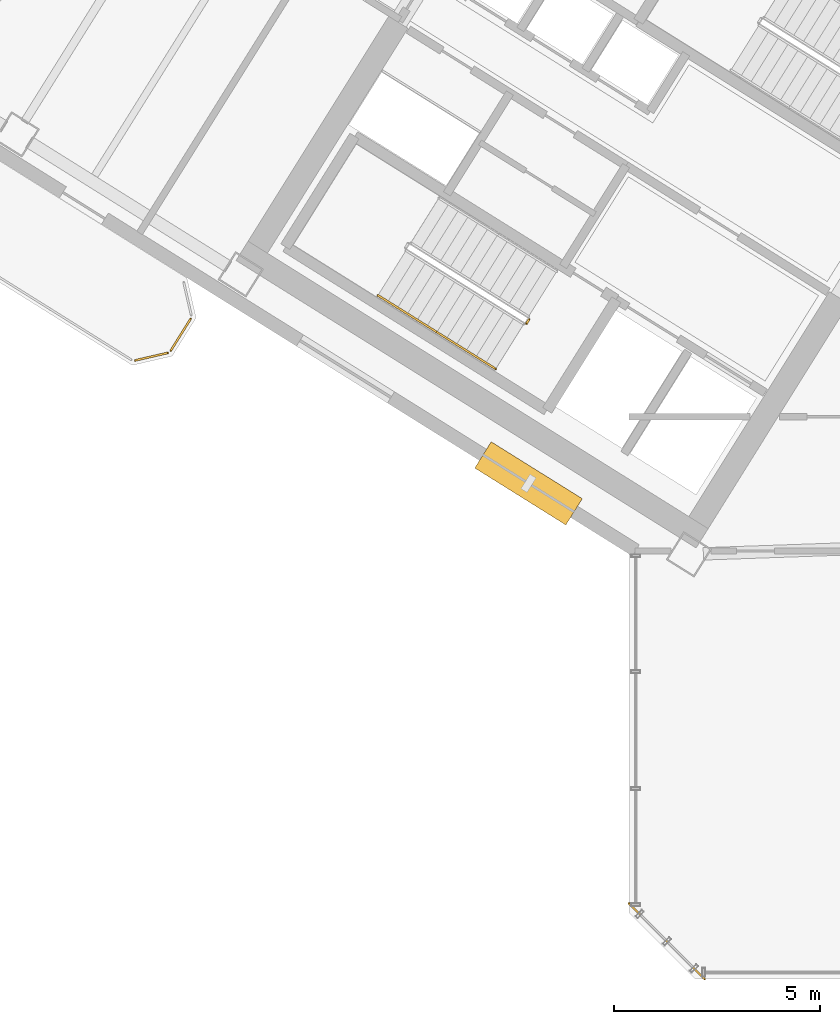
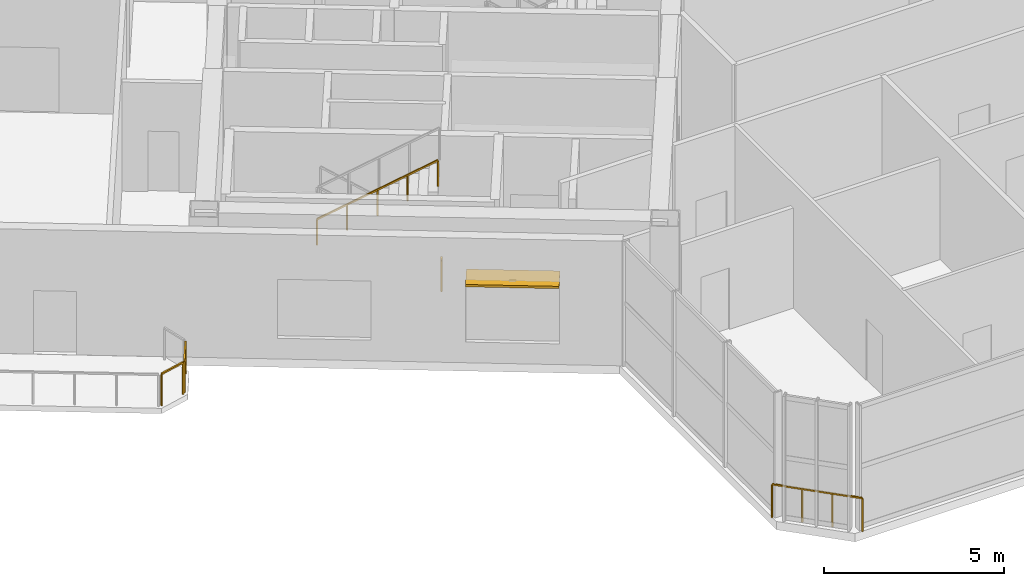
# One storey, part 16 of 20: 6 railings, 1 shading device.
"""IFC4 building model written with IfcOpenShell, lengths in metres."""

from ifc_helpers import new_model, si_unit, direction, frame, origin, origin_2d, place, context, subcontext, project, spatial, rectangle, extrude, source, transform, mapped, material, layer, layer_set, type_object, element, save


model = new_model("IFC4")

# Units and contexts
model_context = context("Model", 3, precision=1e-05, world=origin(), true_north=direction((0.0, 1.0)))
body_context = subcontext(model_context, "Body", "Model", "MODEL_VIEW")
ifc_project = project(units=[si_unit("LENGTHUNIT", "METRE"), si_unit("AREAUNIT", "SQUARE_METRE"), si_unit("VOLUMEUNIT", "CUBIC_METRE"), si_unit("PLANEANGLEUNIT", "RADIAN"), si_unit("MASSUNIT", "GRAM", prefix="KILO")], contexts=[model_context])

# Site, building, storey
site_placement = place(None, origin())
site = spatial("IfcSite", under=ifc_project, at=site_placement, CompositionType="ELEMENT")
building_placement = place(site_placement, origin())
building = spatial("IfcBuilding", under=site, at=building_placement, Name="Tlacorven Tower", CompositionType="ELEMENT")
storey_placement = place(building_placement, frame((0.0, 0.0, 195.0)))
storey = spatial("IfcBuildingStorey", under=building, at=storey_placement, Name="L49", CompositionType="ELEMENT", Elevation=195.0)

# Railings
ifc_material_1 = material(Name="Aluminium and painted steel balustrade", Category="steel")
railing_type_1 = type_object("IfcRailingType", Name="RL-BAL-1100", PredefinedType="BALUSTRADE", material=ifc_material_1)
shared_shape_1 = source(origin(), body_context, "Body", "SweptSolid", [
    extrude(rectangle(XDim=0.048095703125, YDim=0.048095703125, at=origin_2d()), frame((0.0, 0.0, 1.076171875), z_axis=(-0.52987865805, -0.848073468364, 0.0), x_axis=(0.848073468364, -0.52987865805, 0.0)), (0.0, 0.0, 1.0), 0.912353515625),
    extrude(rectangle(XDim=0.0419921875, YDim=0.0419921875, at=origin_2d()), origin(), (0.0, 0.0, 1.0), 1.052001953125),
    extrude(rectangle(XDim=0.0419921875, YDim=0.0419921875, at=origin_2d()), frame((-0.4833984375, -0.773681640625, 0.0)), (0.0, 0.0, 1.0), 1.052001953125),
])
railing_1_placement = place(storey_placement, frame((20.976318359375, 17.793701171875, 0.0)))
element("IfcRailing", 1, at=railing_1_placement, inside=storey, type_object=railing_type_1, Name="BAL-L49-W-OUT Guard Railing 2", PredefinedType="BALUSTRADE", context=body_context, shape_type="MappedRepresentation", body=[
    mapped(shared_shape_1, transform((0.0, 0.0, 0.0), scale=1.0)),
])
shared_shape_2 = source(origin(), body_context, "Body", "SweptSolid", [
    extrude(rectangle(XDim=0.048095703125, YDim=0.048095703125, at=origin_2d()), frame((0.0, 0.0, 1.076171875), z_axis=(-0.974345290916, -0.225058334816, 0.0), x_axis=(0.225058334816, -0.974345290916, 0.0)), (0.0, 0.0, 1.0), 0.80712890625),
    extrude(rectangle(XDim=0.0419921875, YDim=0.0419921875, at=origin_2d()), origin(), (0.0, 0.0, 1.0), 1.052001953125),
    extrude(rectangle(XDim=0.0419921875, YDim=0.0419921875, at=origin_2d()), frame((-0.786376953125, -0.181640625, 0.0)), (0.0, 0.0, 1.0), 1.052001953125),
])
railing_2_placement = place(storey_placement, frame((20.417724609375, 16.966552734375, 0.0)))
element("IfcRailing", 2, at=railing_2_placement, inside=storey, type_object=railing_type_1, Name="BAL-L49-W-OUT Guard Railing 3", PredefinedType="BALUSTRADE", context=body_context, shape_type="MappedRepresentation", body=[
    mapped(shared_shape_2, transform((0.0, 0.0, 0.0), scale=1.0)),
])
railing_type_2 = type_object("IfcRailingType", Name="RL-GRD-1150", PredefinedType="GUARDRAIL", material=ifc_material_1)
shared_shape_3 = source(origin(), body_context, "Body", "SweptSolid", [
    extrude(rectangle(XDim=0.048095703125, YDim=0.048095703125, at=origin_2d()), frame((0.0, 0.0, 1.1259765625), z_axis=(-0.707106781187, 0.707106781187, 0.0), x_axis=(-0.707106781187, -0.707106781187, 0.0)), (0.0, 0.0, 1.0), 2.590087890625),
    extrude(rectangle(XDim=0.0419921875, YDim=0.0419921875, at=origin_2d()), origin(), (0.0, 0.0, 1.0), 1.101806640625),
    extrude(rectangle(XDim=0.0419921875, YDim=0.0419921875, at=origin_2d()), frame((-0.610595703125, 0.610595703125, 0.0)), (0.0, 0.0, 1.0), 1.101806640625),
    extrude(rectangle(XDim=0.0419921875, YDim=0.0419921875, at=origin_2d()), frame((-1.220947265625, 1.220947265625, 0.0)), (0.0, 0.0, 1.0), 1.101806640625),
    extrude(rectangle(XDim=0.0419921875, YDim=0.0419921875, at=origin_2d()), frame((-1.83154296875, 1.83154296875, 0.0)), (0.0, 0.0, 1.0), 1.101806640625),
])
railing_3_placement = place(storey_placement, frame((33.428955078125, 1.79736328125, 0.0)))
element("IfcRailing", 3, at=railing_3_placement, inside=storey, type_object=railing_type_2, Name="L49 Knuckle Glazed Sill Guard 1", PredefinedType="GUARDRAIL", context=body_context, shape_type="MappedRepresentation", body=[
    mapped(shared_shape_3, transform((0.0, 0.0, 0.0), scale=1.0)),
])

# Shading device
ifc_material_2 = material(Name="Anodised bronze aluminium sunshade", Category="aluminium")
ifc_layer = layer(ifc_material_2, 0.080078125)
ifc_layer_set = layer_set([ifc_layer], Name="Anodised bronze aluminium sunshade")
shading_device_type = type_object("IfcShadingDeviceType", Name="SH-SUN-BRZ", PredefinedType="AWNING", material=ifc_layer_set)
shared_shape_4 = source(origin(), body_context, "Body", "SweptSolid", [
    extrude(rectangle(XDim=2.60009765625, YDim=0.75, at=origin_2d()), origin(), (0.0, 0.0, 1.0), 0.080078125),
])
shading_device_placement = place(storey_placement, frame((29.1611328125, 13.80712890625, 2.719970703125), z_axis=(0.0, 0.0, 1.0), x_axis=(-0.848048152806, 0.529919173576, 0.0)))
element("IfcShadingDevice", 4, at=shading_device_placement, inside=storey, type_object=shading_device_type, Name="L49 Solar Brise-Soleil Sunshade L49-01.1", PredefinedType="AWNING", context=body_context, shape_type="MappedRepresentation", body=[
    mapped(shared_shape_4, transform((0.0, 0.0, 0.0), scale=1.0)),
])

# Railings
railing_type_3 = type_object("IfcRailingType", Name="RL-GRD-1100", PredefinedType="GUARDRAIL", material=ifc_material_1)
shared_shape_5 = source(origin(), body_context, "Body", "SweptSolid", [
    extrude(rectangle(XDim=0.048095703125, YDim=0.048095703125, at=origin_2d()), frame((0.0, 0.0, 1.076171875), z_axis=(-0.529084052582, -0.848569422795, 0.0), x_axis=(0.848569422795, -0.529084052582, 0.0)), (0.0, 0.0, 1.0), 0.119873046875),
    extrude(rectangle(XDim=0.0419921875, YDim=0.0419921875, at=origin_2d()), origin(), (0.0, 0.0, 1.0), 1.052001953125),
    extrude(rectangle(XDim=0.0419921875, YDim=0.0419921875, at=origin_2d()), frame((-0.0634765625, -0.101806640625, 0.0)), (0.0, 0.0, 1.0), 1.052001953125),
])
railing_4_placement = place(storey_placement, frame((29.176513671875, 17.782958984375, 0.0)))
element("IfcRailing", 5, at=railing_4_placement, inside=storey, type_object=railing_type_3, Name="L49 ST-W1 stair guard 4", PredefinedType="GUARDRAIL", context=body_context, shape_type="MappedRepresentation", body=[
    mapped(shared_shape_5, transform((0.0, 0.0, 0.0), scale=1.0)),
])
railing_type_4 = type_object("IfcRailingType", Name="RL-HND-0900", PredefinedType="HANDRAIL", material=ifc_material_1)
shared_shape_6 = source(origin(), body_context, "Body", "SweptSolid", [
    extrude(rectangle(XDim=0.048095703125, YDim=0.048095703125, at=origin_2d()), frame((0.0, 0.0, 0.8759765625), z_axis=(0.721387654753, -0.450805479247, 0.525713107551), x_axis=(0.529946692594, 0.848030956397, 0.0)), (0.0, 0.0, 1.0), 1.97509765625),
    extrude(rectangle(XDim=0.0419921875, YDim=0.0419921875, at=origin_2d()), origin(), (0.0, 0.0, 1.0), 0.851806640625),
    extrude(rectangle(XDim=0.0419921875, YDim=0.0419921875, at=origin_2d()), frame((0.71240234375, -0.4453125, 0.51904296875)), (0.0, 0.0, 1.0), 0.851806640625),
    extrude(rectangle(XDim=0.0419921875, YDim=0.0419921875, at=origin_2d()), frame((1.4248046875, -0.890380859375, 1.038330078125)), (0.0, 0.0, 1.0), 0.851806640625),
])
railing_5_placement = place(storey_placement, frame((25.516357421875, 18.3603515625, 2.423095703125)))
element("IfcRailing", 6, at=railing_5_placement, inside=storey, type_object=railing_type_4, Name="L49 ST-W1 stair handrail 3", PredefinedType="HANDRAIL", context=body_context, shape_type="MappedRepresentation", body=[
    mapped(shared_shape_6, transform((0.0, 0.0, 0.0), scale=1.0)),
])
shared_shape_7 = source(origin(), body_context, "Body", "SweptSolid", [
    extrude(rectangle(XDim=0.048095703125, YDim=0.048095703125, at=origin_2d()), frame((0.0, 0.0, 0.8759765625), z_axis=(0.721321672373, -0.450717877887, 0.52587873081), x_axis=(0.529907487405, 0.848055455022, 0.0)), (0.0, 0.0, 1.0), 1.974853515625),
    extrude(rectangle(XDim=0.0419921875, YDim=0.0419921875, at=origin_2d()), origin(), (0.0, 0.0, 1.0), 0.851806640625),
    extrude(rectangle(XDim=0.0419921875, YDim=0.0419921875, at=origin_2d()), frame((0.71240234375, -0.445068359375, 0.519287109375)), (0.0, 0.0, 1.0), 0.851806640625),
    extrude(rectangle(XDim=0.0419921875, YDim=0.0419921875, at=origin_2d()), frame((1.424560546875, -0.89013671875, 1.03857421875)), (0.0, 0.0, 1.0), 0.851806640625),
])
railing_6_placement = place(storey_placement, frame((26.941162109375, 17.469970703125, 3.46142578125)))
element("IfcRailing", 7, at=railing_6_placement, inside=storey, type_object=railing_type_4, Name="L49 ST-W1 stair handrail 4", PredefinedType="HANDRAIL", context=body_context, shape_type="MappedRepresentation", body=[
    mapped(shared_shape_7, transform((0.0, 0.0, 0.0), scale=1.0)),
])

save(model, "model.ifc")
